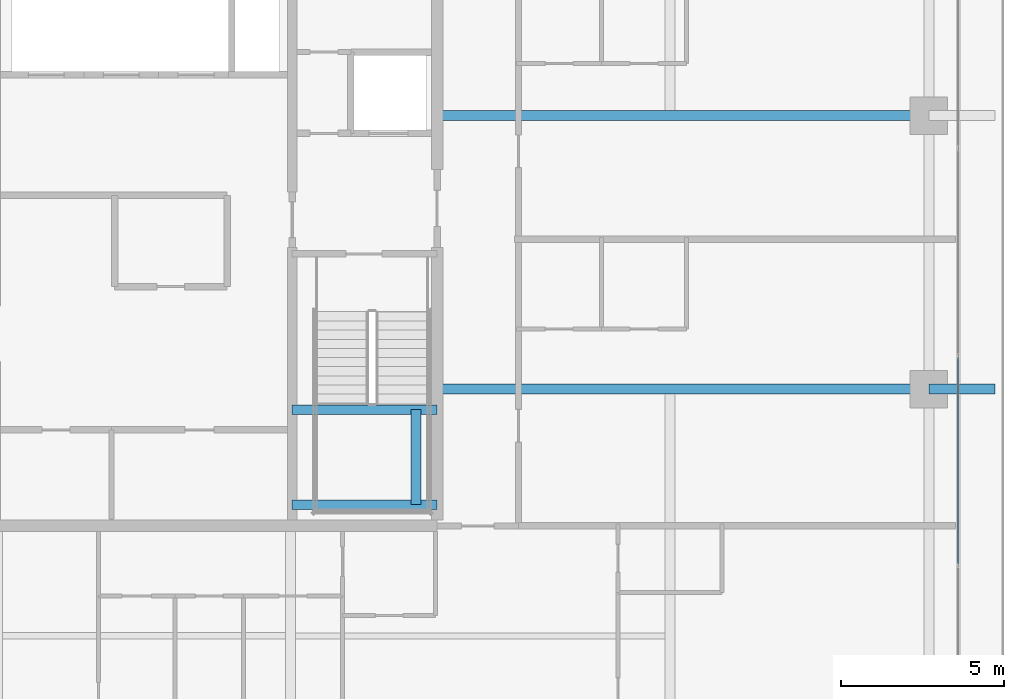
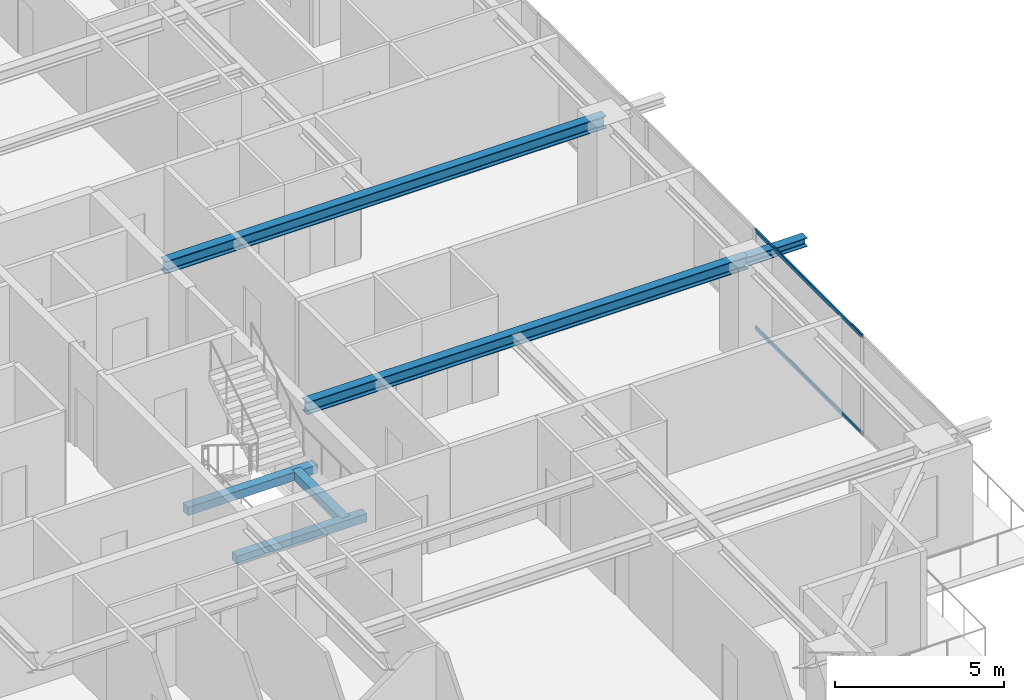
# One storey, part 15 of 39: 6 beams, 2 members, 1 element without a shape of its own.
"""IFC4 building model written with IfcOpenShell, lengths in metres."""

from ifc_helpers import new_model, si_unit, direction, frame, origin, origin_2d, place, context, subcontext, project, spatial, rectangle, hollow_rectangle, i_section, extrude, source, transform, mapped, material, layer, layer_set, material_profile, profile_set, type_object, element, aggregate, save


model = new_model("IFC4")

# Units and contexts
model_context = context("Model", 3, precision=1e-05, world=origin(), true_north=direction((0.0, 1.0)))
body_context = subcontext(model_context, "Body", "Model", "MODEL_VIEW")
ifc_project = project(units=[si_unit("LENGTHUNIT", "METRE"), si_unit("AREAUNIT", "SQUARE_METRE"), si_unit("VOLUMEUNIT", "CUBIC_METRE"), si_unit("PLANEANGLEUNIT", "RADIAN"), si_unit("MASSUNIT", "GRAM", prefix="KILO")], contexts=[model_context])

# Site, building, storey
site_placement = place(None, origin())
site = spatial("IfcSite", under=ifc_project, at=site_placement, CompositionType="ELEMENT")
building_placement = place(site_placement, origin())
building = spatial("IfcBuilding", under=site, at=building_placement, Name="Serunith Strait Residences", CompositionType="ELEMENT")
storey_placement = place(building_placement, frame((0.0, 0.0, 222.0)))
storey = spatial("IfcBuildingStorey", under=building, at=storey_placement, Name="L55", CompositionType="ELEMENT", Elevation=222.0)

# Beams
ifc_material_1 = material(Name="Steel S355J2", Category="steel")
ifc_material_profile_1 = material_profile(ifc_material_1, i_section(OverallWidth=0.300048828125, OverallDepth=0.449951171875, WebThickness=0.013916015625, FlangeThickness=0.02587890625, FilletRadius=0.027099609375, at=origin_2d()), Name="HEB 450")
ifc_profile_set_1 = profile_set([ifc_material_profile_1], Name="Steel S355J2")
beam_type_1 = type_object("IfcBeamType", Name="BM-HEB450", PredefinedType="BEAM", material=ifc_profile_set_1)
shared_shape_1 = source(origin(), body_context, "Body", "SweptSolid", [
    extrude(i_section(OverallWidth=0.300048828125, OverallDepth=0.449951171875, WebThickness=0.013916015625, FlangeThickness=0.02587890625, FilletRadius=0.027099609375, at=origin_2d()), origin(), (0.0, 0.0, 1.0), 15.10009765625),
])
for number, where, z_axis, x_axis, name in (
    (1, (41.39990234375, 21.0, 3.362060546875), (1.0, 0.0, 0.0), (0.0, 1.0, 0.0), "L55 Primary Floor Girder TC-E2"),
    (2, (41.39990234375, 29.39990234375, 3.362060546875), (1.0, 0.0, 0.0), (0.0, 1.0, 0.0), "L55 Primary Floor Girder TC-E3"),
):
    element("IfcBeam", number, at=place(storey_placement, frame(where, z_axis=z_axis, x_axis=x_axis)), inside=storey, type_object=beam_type_1, Name=name, PredefinedType="BEAM", context=body_context, shape_type="MappedRepresentation", body=[
        mapped(shared_shape_1, transform((0.0, 0.0, 0.0), scale=1.0)),
    ])
ifc_material_profile_2 = material_profile(ifc_material_1, i_section(OverallWidth=0.300048828125, OverallDepth=0.320068359375, WebThickness=0.011474609375, FlangeThickness=0.0205078125, FilletRadius=0.027099609375, at=origin_2d()), Name="HEB 320")
ifc_profile_set_2 = profile_set([ifc_material_profile_2], Name="Steel S355J2")
beam_type_2 = type_object("IfcBeamType", Name="BM-HEB320", PredefinedType="BEAM", material=ifc_profile_set_2)
shared_shape_2 = source(origin(), body_context, "Body", "SweptSolid", [
    extrude(i_section(OverallWidth=0.300048828125, OverallDepth=0.320068359375, WebThickness=0.011474609375, FlangeThickness=0.0205078125, FilletRadius=0.027099609375, at=origin_2d()), origin(), (0.0, 0.0, 1.0), 2.030029296875),
])
beam_1_placement = place(storey_placement, frame((56.5, 21.0, 3.39697265625), z_axis=(1.0, 0.0, 0.0), x_axis=(0.0, 1.0, 0.0)))
element("IfcBeam", 3, at=beam_1_placement, inside=storey, type_object=beam_type_2, Name="L56 Cantilevered Balcony Rib TC-E2", PredefinedType="BEAM", context=body_context, shape_type="MappedRepresentation", body=[
    mapped(shared_shape_2, transform((0.0, 0.0, 0.0), scale=1.0)),
])
ifc_material_2 = material(Name="Concrete C60/75", Category="concrete")
ifc_material_profile_3 = material_profile(ifc_material_2, rectangle(XDim=0.300048828125, YDim=0.300048828125, at=origin_2d()), Name="RC 300x300")
ifc_profile_set_3 = profile_set([ifc_material_profile_3], Name="Concrete C60/75")
beam_type_3 = type_object("IfcBeamType", Name="BM-LAND-300x300", PredefinedType="BEAM", material=ifc_profile_set_3)
shared_shape_3 = source(origin(), body_context, "Body", "SweptSolid", [
    extrude(rectangle(XDim=0.300048828125, YDim=0.300048828125, at=origin_2d()), origin(), (0.0, 0.0, 1.0), 4.449951171875),
])
for number, where, z_axis, x_axis, name in (
    (4, (36.949951171875, 17.449951171875, 1.574951171875), (1.0, 0.0, 0.0), (0.0, 1.0, 0.0), "L55 ST-2 Landing Support Beam 1"),
    (5, (36.949951171875, 20.3701171875, 1.574951171875), (1.0, 0.0, 0.0), (0.0, 1.0, 0.0), "L55 ST-2 Landing Support Beam 2"),
):
    element("IfcBeam", number, at=place(storey_placement, frame(where, z_axis=z_axis, x_axis=x_axis)), inside=storey, type_object=beam_type_3, Name=name, PredefinedType="BEAM", context=body_context, shape_type="MappedRepresentation", body=[
        mapped(shared_shape_3, transform((0.0, 0.0, 0.0), scale=1.0)),
    ])
shared_shape_4 = source(origin(), body_context, "Body", "SweptSolid", [
    extrude(rectangle(XDim=0.300048828125, YDim=0.300048828125, at=origin_2d()), origin(), (0.0, 0.0, 1.0), 2.920166015625),
])
beam_2_placement = place(storey_placement, frame((40.75, 17.449951171875, 1.574951171875), z_axis=(0.0, 1.0, 0.0), x_axis=(-1.0, 0.0, 0.0)))
element("IfcBeam", 6, at=beam_2_placement, inside=storey, type_object=beam_type_3, Name="L55 ST-2 Landing Transverse Tie Beam", PredefinedType="BEAM", context=body_context, shape_type="MappedRepresentation", body=[
    mapped(shared_shape_4, transform((0.0, 0.0, 0.0), scale=1.0)),
])

# Curtain wall, members
ifc_material_3 = material(Name="Pale-Champagne Anodised Aluminium", Category="aluminium")
ifc_layer = layer(ifc_material_3, 0.199951171875, Name="Pale-Champagne Anodised Aluminium")
ifc_layer_set = layer_set([ifc_layer], Name="Pale-Champagne Anodised Aluminium")
curtain_wall_type = type_object("IfcCurtainWallType", Name="CW-SYS4", PredefinedType="NOTDEFINED", material=ifc_layer_set)
curtain_wall_placement = place(storey_placement, origin())
curtain_wall = element("IfcCurtainWall", 7, at=curtain_wall_placement, inside=storey, type_object=curtain_wall_type, Name="L55 E Unitised Fritted Curtain Wall", PredefinedType="NOTDEFINED")
ifc_material_profile_4 = material_profile(ifc_material_3, hollow_rectangle(XDim=0.06005859375, YDim=0.139892578125, WallThickness=0.00341796875, InnerFilletRadius=0.00537109375, OuterFilletRadius=0.0087890625, at=origin_2d()), Name="ALU 140x60x3.5")
ifc_profile_set_4 = profile_set([ifc_material_profile_4], Name="Pale-Champagne Anodised Aluminium")
member_type = type_object("IfcMemberType", Name="CW-SYS4-TRAN", PredefinedType="USERDEFINED", material=ifc_profile_set_4)
shared_shape_5 = source(origin(), body_context, "Body", "SweptSolid", [
    extrude(hollow_rectangle(XDim=0.06005859375, YDim=0.139892578125, WallThickness=0.00341796875, InnerFilletRadius=0.00537109375, OuterFilletRadius=0.0087890625, at=origin_2d()), origin(), (0.0, 0.0, 1.0), 6.3349609375),
])
member_1_placement = place(storey_placement, frame((57.39990234375, 15.632568359375, 0.030029296875), z_axis=(0.0, 1.0, 0.0), x_axis=(-1.0, 0.0, 0.0)))
member_1 = element("IfcMember", 8, at=member_1_placement, type_object=member_type, Name="CW-4 transom 2.1", ObjectType="TRANSOM", PredefinedType="USERDEFINED", context=body_context, shape_type="MappedRepresentation", body=[
    mapped(shared_shape_5, transform((0.0, 0.0, 0.0), scale=1.0)),
])
member_2_placement = place(storey_placement, frame((57.39990234375, 15.632568359375, 3.544921875), z_axis=(0.0, 1.0, 0.0), x_axis=(-1.0, 0.0, 0.0)))
member_2 = element("IfcMember", 9, at=member_2_placement, type_object=member_type, Name="CW-4 transom 2.2", ObjectType="TRANSOM", PredefinedType="USERDEFINED", context=body_context, shape_type="MappedRepresentation", body=[
    mapped(shared_shape_5, transform((0.0, 0.0, 0.0), scale=1.0)),
])
aggregate(curtain_wall, [member_1, member_2])

save(model, "model.ifc")
